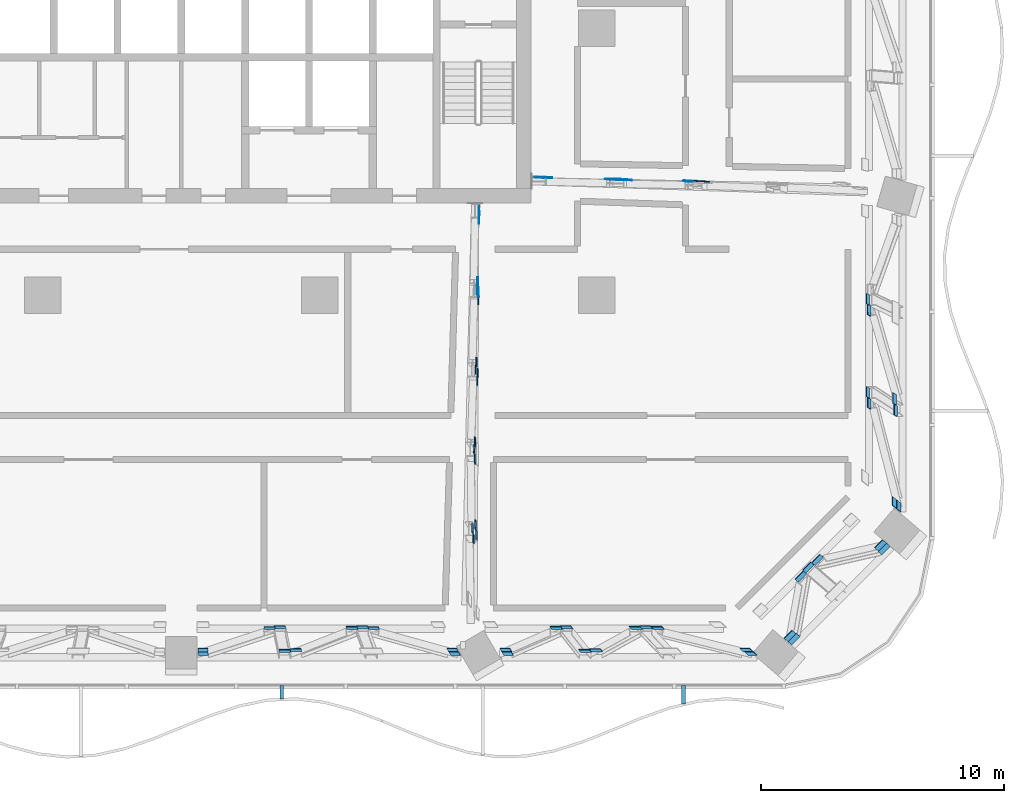
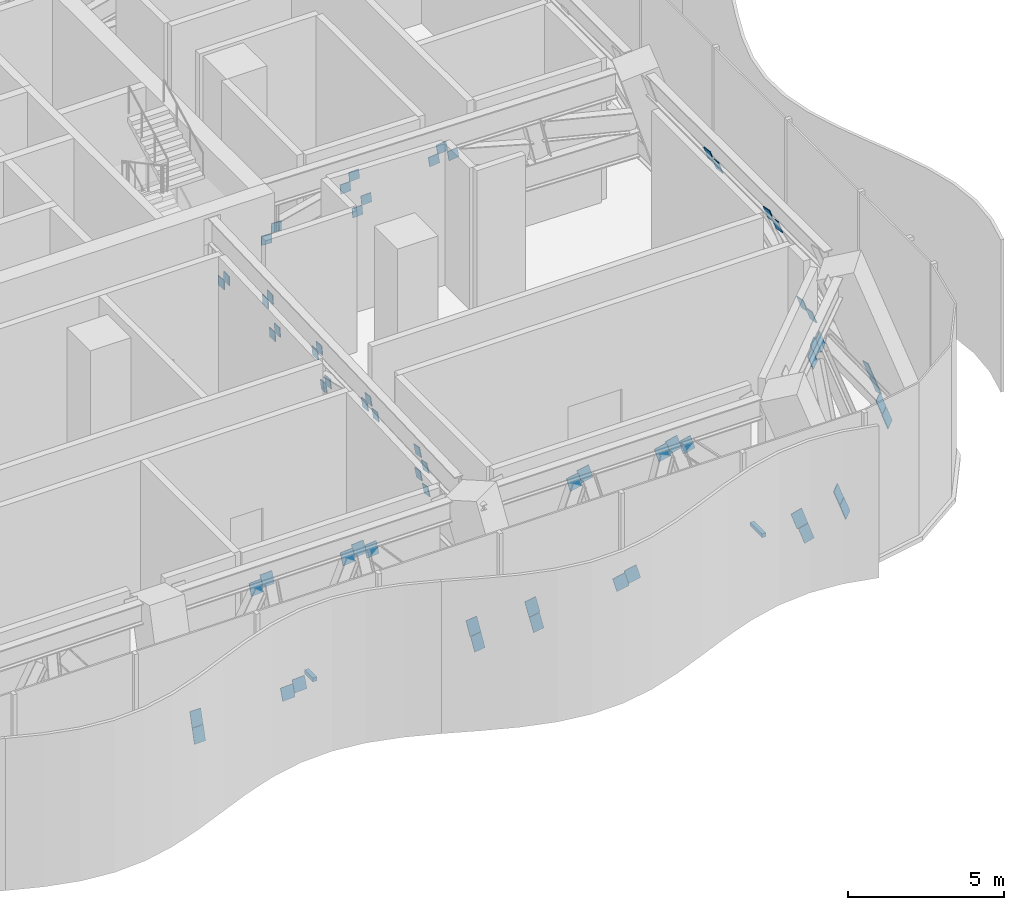
# One storey, part 21 of 32: 65 discrete accessories.
"""IFC4 building model written with IfcOpenShell, lengths in metres."""

from ifc_helpers import new_model, si_unit, direction, frame, origin, origin_2d, place, context, subcontext, project, spatial, rectangle, extrude, material, layer, layer_set, type_object, element, save


model = new_model("IFC4")

# Units and contexts
model_context = context("Model", 3, precision=1e-05, world=origin(), true_north=direction((0.0, 1.0)))
body_context = subcontext(model_context, "Body", "Model", "MODEL_VIEW")
ifc_project = project(units=[si_unit("LENGTHUNIT", "METRE"), si_unit("AREAUNIT", "SQUARE_METRE"), si_unit("VOLUMEUNIT", "CUBIC_METRE"), si_unit("PLANEANGLEUNIT", "RADIAN"), si_unit("MASSUNIT", "GRAM", prefix="KILO")], contexts=[model_context])

# Site, building, storey
site_placement = place(None, origin())
site = spatial("IfcSite", under=ifc_project, at=site_placement, CompositionType="ELEMENT")
building_placement = place(site_placement, origin())
building = spatial("IfcBuilding", under=site, at=building_placement, Name="Mopane Tessera Tower", CompositionType="ELEMENT")
storey_placement = place(building_placement, frame((0.0, 0.0, 88.60009765625)))
storey = spatial("IfcBuildingStorey", under=building, at=storey_placement, Name="L17", CompositionType="ELEMENT", Elevation=88.60009765625)

# Discrete accessories
ifc_material_1 = material(Name="Stainless steel S316", Category="steel")
discrete_accessory_type_1 = type_object("IfcDiscreteAccessoryType", Name="Louvre bracket 150 x 150", PredefinedType="BRACKET", material=ifc_material_1)
discrete_accessory_1_placement = place(storey_placement, frame((4.13330078125, -27.333740234375, 2.489990234375), z_axis=(0.0, 0.0, 1.0), x_axis=(0.0, -1.0, 0.0)))
element("IfcDiscreteAccessory", 1, at=discrete_accessory_1_placement, inside=storey, type_object=discrete_accessory_type_1, Name="e:lv:L17:S:1:br1", PredefinedType="BRACKET", context=body_context, shape_type="SweptSolid", body=[
    extrude(rectangle(XDim=0.54736328125, YDim=0.14990234375, at=origin_2d()), origin(), (0.0, 0.0, 1.0), 0.14990234375),
])
discrete_accessory_2_placement = place(storey_placement, frame((20.666748046875, -27.442626953125, 2.489990234375), z_axis=(0.0, 0.0, 1.0), x_axis=(0.0, -1.0, 0.0)))
element("IfcDiscreteAccessory", 2, at=discrete_accessory_2_placement, inside=storey, type_object=discrete_accessory_type_1, Name="e:lv:L17:S:2:br1", PredefinedType="BRACKET", context=body_context, shape_type="SweptSolid", body=[
    extrude(rectangle(XDim=0.76513671875, YDim=0.14990234375, at=origin_2d()), origin(), (0.0, 0.0, 1.0), 0.14990234375),
])
ifc_material_2 = material(Name="Structural steel S460", Category="steel")
ifc_layer = layer(ifc_material_2, 0.030029296875)
ifc_layer_set = layer_set([ifc_layer], Name="Structural steel S460")
discrete_accessory_type_2 = type_object("IfcDiscreteAccessoryType", Name="Truss node plate 30 mm", PredefinedType="BRACKET", material=ifc_layer_set)
for number, where, z_axis, x_axis, name in (
    (3, (14.7236328125, -6.14404296875, 2.924560546875), (-0.005991891135, 0.001997297045, 0.999980053824), (0.076364876476, 0.997078759538, -0.00153392303), "Truss node plate s ot L17 E1 0"),
    (4, (15.07763671875, -6.15380859375, 3.30126953125), (-0.013314292716, 0.003994287815, 0.99990338297), (0.046165316426, 0.998928109718, -0.003375673988), "Truss node plate s ot L17 E1 2"),
):
    element("IfcDiscreteAccessory", number, at=place(storey_placement, frame(where, z_axis=z_axis, x_axis=x_axis)), inside=storey, type_object=discrete_accessory_type_2, Name=name, PredefinedType="BRACKET", context=body_context, shape_type="SweptSolid", body=[
        extrude(rectangle(XDim=0.030029296875, YDim=0.36669921875, at=origin_2d()), origin(), (0.0, 0.0, 1.0), 0.36669921875),
    ])
discrete_accessory_3_placement = place(storey_placement, frame((17.61767578125, -6.217041015625, 3.98193359375), z_axis=(-0.065096638297, 0.018599039513, 0.997705619615), x_axis=(0.034056769182, 0.999285227695, -0.016406406788)))
element("IfcDiscreteAccessory", 5, at=discrete_accessory_3_placement, inside=storey, type_object=discrete_accessory_type_2, Name="Truss node plate s ot L17 E1 3", PredefinedType="BRACKET", context=body_context, shape_type="SweptSolid", body=[
    extrude(rectangle(XDim=0.030029296875, YDim=0.36669921875, at=origin_2d()), origin(), (0.0, 0.0, 1.0), 0.367431640625),
])
for number, where, z_axis, x_axis, name in (
    (6, (18.04638671875, -6.248291015625, 2.924560546875), (-0.072364237208, 0.020580654619, 0.997165910884), (0.033097287587, 0.999285999317, -0.018222544362), "Truss node plate s ot L17 E1 4"),
    (7, (17.94189453125, -6.21826171875, 4.358642578125), (-0.073024605033, 0.020579661418, 0.997117788727), (0.030716489883, 0.999359197658, -0.018376378988), "Truss node plate s ot L17 E1 5"),
):
    element("IfcDiscreteAccessory", number, at=place(storey_placement, frame(where, z_axis=z_axis, x_axis=x_axis)), inside=storey, type_object=discrete_accessory_type_2, Name=name, PredefinedType="BRACKET", context=body_context, shape_type="SweptSolid", body=[
        extrude(rectangle(XDim=0.030029296875, YDim=0.36669921875, at=origin_2d()), origin(), (0.0, 0.0, 1.0), 0.36767578125),
    ])
discrete_accessory_4_placement = place(storey_placement, frame((18.37548828125, -6.2509765625, 3.30126953125), z_axis=(-0.080277461684, 0.02322075338, 0.996502045035), x_axis=(0.037870559614, 0.999077859714, -0.020229951649)))
element("IfcDiscreteAccessory", 8, at=discrete_accessory_4_placement, inside=storey, type_object=discrete_accessory_type_2, Name="Truss node plate s ot L17 E1 6", PredefinedType="BRACKET", context=body_context, shape_type="SweptSolid", body=[
    extrude(rectangle(XDim=0.030029296875, YDim=0.36669921875, at=origin_2d()), origin(), (0.0, 0.0, 1.0), 0.367919921875),
])
discrete_accessory_5_placement = place(storey_placement, frame((20.8701171875, -6.30126953125, 3.98193359375), z_axis=(-0.131249416504, 0.037594053974, 0.990636299443), x_axis=(0.038005700608, 0.998736895677, -0.032866090967)))
element("IfcDiscreteAccessory", 9, at=discrete_accessory_5_placement, inside=storey, type_object=discrete_accessory_type_2, Name="Truss node plate s ot L17 E1 7", PredefinedType="BRACKET", context=body_context, shape_type="SweptSolid", body=[
    extrude(rectangle(XDim=0.030029296875, YDim=0.36669921875, at=origin_2d()), origin(), (0.0, 0.0, 1.0), 0.3701171875),
])
discrete_accessory_6_placement = place(storey_placement, frame((21.1689453125, -6.29541015625, 4.358642578125), z_axis=(-0.13771220955, 0.039534605612, 0.989682960498), x_axis=(0.039065427392, 0.998642394715, -0.034456637389)))
element("IfcDiscreteAccessory", 10, at=discrete_accessory_6_placement, inside=storey, type_object=discrete_accessory_type_2, Name="Truss node plate s ot L17 E1 9", PredefinedType="BRACKET", context=body_context, shape_type="SweptSolid", body=[
    extrude(rectangle(XDim=0.030029296875, YDim=0.36669921875, at=origin_2d()), origin(), (0.0, 0.0, 1.0), 0.37060546875),
])
discrete_accessory_7_placement = place(storey_placement, frame((21.572998046875, -6.3193359375, 3.98193359375), z_axis=(-0.144800375425, 0.041465562054, 0.988591654041), x_axis=(0.038907178413, 0.998587403392, -0.036186036726)))
element("IfcDiscreteAccessory", 11, at=discrete_accessory_7_placement, inside=storey, type_object=discrete_accessory_type_2, Name="Truss node plate s ot L17 E1 10", PredefinedType="BRACKET", context=body_context, shape_type="SweptSolid", body=[
    extrude(rectangle(XDim=0.030029296875, YDim=0.36669921875, at=origin_2d()), origin(), (0.0, 0.0, 1.0), 0.370849609375),
])
discrete_accessory_8_placement = place(storey_placement, frame((12.257568359375, -7.514892578125, 2.924560546875), z_axis=(-0.002663085154, 0.003994627731, 0.999988475397), x_axis=(0.998435657884, 0.055859680467, 0.002435808621)))
element("IfcDiscreteAccessory", 12, at=discrete_accessory_8_placement, inside=storey, type_object=discrete_accessory_type_2, Name="Truss node plate s ot L17 S3 0", PredefinedType="BRACKET", context=body_context, shape_type="SweptSolid", body=[
    extrude(rectangle(XDim=0.030029296875, YDim=0.366943359375, at=origin_2d()), origin(), (0.0, 0.0, 1.0), 0.36669921875),
])
discrete_accessory_9_placement = place(storey_placement, frame((12.253173828125, -7.87060546875, 3.30126953125), z_axis=(-0.005322381677, 0.009314167935, 0.999942457609), x_axis=(0.999901631109, -0.01292696717, 0.005442575242)))
element("IfcDiscreteAccessory", 13, at=discrete_accessory_9_placement, inside=storey, type_object=discrete_accessory_type_2, Name="Truss node plate s ot L17 S3 2", PredefinedType="BRACKET", context=body_context, shape_type="SweptSolid", body=[
    extrude(rectangle(XDim=0.030029296875, YDim=0.366943359375, at=origin_2d()), origin(), (0.0, 0.0, 1.0), 0.366943359375),
])
for number, where, z_axis, x_axis, name in (
    (14, (12.20947265625, -10.454345703125, 3.9814453125), (-0.026576852825, 0.045180649803, 0.998625244913), (0.999646696775, 0.000810906101, 0.026567349472), "Truss node plate s ot L17 S3 3"),
    (15, (12.2353515625, -10.862060546875, 2.924560546875), (-0.02990838802, 0.050511944211, 0.998275529009), (0.999549609781, 0.003972263764, 0.029745566174), "Truss node plate s ot L17 S3 4"),
):
    element("IfcDiscreteAccessory", number, at=place(storey_placement, frame(where, z_axis=z_axis, x_axis=x_axis)), inside=storey, type_object=discrete_accessory_type_2, Name=name, PredefinedType="BRACKET", context=body_context, shape_type="SweptSolid", body=[
        extrude(rectangle(XDim=0.030029296875, YDim=0.366943359375, at=origin_2d()), origin(), (0.0, 0.0, 1.0), 0.367431640625),
    ])
for number, where, z_axis, x_axis, name in (
    (16, (12.19287109375, -10.789306640625, 4.3583984375), (-0.029224940955, 0.050479443468, 0.998297414909), (0.999546104273, -0.005831506387, 0.02955636931), "Truss node plate s ot L17 S3 5"),
    (17, (12.220703125, -11.200439453125, 3.30126953125), (-0.032533436701, 0.055771605774, 0.99791337474), (0.999462434294, -0.002232345911, 0.032708700158), "Truss node plate s ot L17 S3 6"),
):
    element("IfcDiscreteAccessory", number, at=place(storey_placement, frame(where, z_axis=z_axis, x_axis=x_axis)), inside=storey, type_object=discrete_accessory_type_2, Name=name, PredefinedType="BRACKET", context=body_context, shape_type="SweptSolid", body=[
        extrude(rectangle(XDim=0.030029296875, YDim=0.366943359375, at=origin_2d()), origin(), (0.0, 0.0, 1.0), 0.36767578125),
    ])
for number, where, z_axis, x_axis, name in (
    (18, (12.15869140625, -13.75244140625, 3.9814453125), (-0.053589363892, 0.091300397741, 0.994380418879), (0.998562154221, 0.003560250049, 0.053487837648), "Truss node plate s ot L17 S3 7"),
    (19, (12.212890625, -14.208984375, 2.924560546875), (-0.056240183454, 0.09593913648, 0.993797124093), (0.998415493844, 0.003527522346, 0.056161002821), "Truss node plate s ot L17 S3 8"),
):
    element("IfcDiscreteAccessory", number, at=place(storey_placement, frame(where, z_axis=z_axis, x_axis=x_axis)), inside=storey, type_object=discrete_accessory_type_2, Name=name, PredefinedType="BRACKET", context=body_context, shape_type="SweptSolid", body=[
        extrude(rectangle(XDim=0.030029296875, YDim=0.366943359375, at=origin_2d()), origin(), (0.0, 0.0, 1.0), 0.368896484375),
    ])
discrete_accessory_10_placement = place(storey_placement, frame((12.1318359375, -14.070068359375, 4.3583984375), z_axis=(-0.056199652217, 0.096531167337, 0.993742085666), x_axis=(0.998407595496, 0.000562798862, 0.056408833655)))
element("IfcDiscreteAccessory", 20, at=discrete_accessory_10_placement, inside=storey, type_object=discrete_accessory_type_2, Name="Truss node plate s ot L17 S3 9", PredefinedType="BRACKET", context=body_context, shape_type="SweptSolid", body=[
    extrude(rectangle(XDim=0.030029296875, YDim=0.366943359375, at=origin_2d()), origin(), (0.0, 0.0, 1.0), 0.369140625),
])
discrete_accessory_11_placement = place(storey_placement, frame((12.188232421875, -14.530029296875, 3.30126953125), z_axis=(-0.058808502745, 0.101097763146, 0.99313684973), x_axis=(0.998255580983, 0.000743298452, 0.059035942811)))
element("IfcDiscreteAccessory", 21, at=discrete_accessory_11_placement, inside=storey, type_object=discrete_accessory_type_2, Name="Truss node plate s ot L17 S3 10", PredefinedType="BRACKET", context=body_context, shape_type="SweptSolid", body=[
    extrude(rectangle(XDim=0.030029296875, YDim=0.366943359375, at=origin_2d()), origin(), (0.0, 0.0, 1.0), 0.369384765625),
])
discrete_accessory_12_placement = place(storey_placement, frame((12.10791015625, -17.05078125, 3.9814453125), z_axis=(-0.080146045824, 0.136642438782, 0.987373007157), x_axis=(0.996781736397, 0.009329360955, 0.079618672496)))
element("IfcDiscreteAccessory", 22, at=discrete_accessory_12_placement, inside=storey, type_object=discrete_accessory_type_2, Name="Truss node plate s ot L17 S3 11", PredefinedType="BRACKET", context=body_context, shape_type="SweptSolid", body=[
    extrude(rectangle(XDim=0.030029296875, YDim=0.366943359375, at=origin_2d()), origin(), (0.0, 0.0, 1.0), 0.37158203125),
])
discrete_accessory_13_placement = place(storey_placement, frame((12.07080078125, -17.350830078125, 4.3583984375), z_axis=(-0.08204371414, 0.141771538034, 0.98649361882), x_axis=(0.99660090909, 0.004274335901, 0.082270031325)))
element("IfcDiscreteAccessory", 23, at=discrete_accessory_13_placement, inside=storey, type_object=discrete_accessory_type_2, Name="Truss node plate s ot L17 S3 13", PredefinedType="BRACKET", context=body_context, shape_type="SweptSolid", body=[
    extrude(rectangle(XDim=0.030029296875, YDim=0.366943359375, at=origin_2d()), origin(), (0.0, 0.0, 1.0), 0.3720703125),
])
discrete_accessory_14_placement = place(storey_placement, frame((12.096923828125, -17.7587890625, 3.9814453125), z_axis=(-0.085245663383, 0.146229099495, 0.985571015876), x_axis=(0.996350727816, 0.008251776601, 0.08495372484)))
element("IfcDiscreteAccessory", 24, at=discrete_accessory_14_placement, inside=storey, type_object=discrete_accessory_type_2, Name="Truss node plate s ot L17 S3 14", PredefinedType="BRACKET", context=body_context, shape_type="SweptSolid", body=[
    extrude(rectangle(XDim=0.030029296875, YDim=0.366943359375, at=origin_2d()), origin(), (0.0, 0.0, 1.0), 0.372314453125),
])
discrete_accessory_15_placement = place(storey_placement, frame((12.13037109375, -20.474365234375, 3.30126953125), z_axis=(-0.105408764436, 0.180235973757, 0.977959092265), x_axis=(0.994424866223, 0.016276724843, 0.104183749532)))
element("IfcDiscreteAccessory", 25, at=discrete_accessory_15_placement, inside=storey, type_object=discrete_accessory_type_2, Name="Truss node plate s ot L17 S3 15", PredefinedType="BRACKET", context=body_context, shape_type="SweptSolid", body=[
    extrude(rectangle(XDim=0.030029296875, YDim=0.366943359375, at=origin_2d()), origin(), (0.0, 0.0, 1.0), 0.375244140625),
])
discrete_accessory_16_placement = place(storey_placement, frame((12.16845703125, -20.9033203125, 2.924560546875), z_axis=(-0.107947417547, 0.185331409644, 0.976729043105), x_axis=(0.994145816801, 0.015546450129, 0.106922414982)))
element("IfcDiscreteAccessory", 26, at=discrete_accessory_16_placement, inside=storey, type_object=discrete_accessory_type_2, Name="Truss node plate s ot L17 S3 16", PredefinedType="BRACKET", context=body_context, shape_type="SweptSolid", body=[
    extrude(rectangle(XDim=0.030029296875, YDim=0.366943359375, at=origin_2d()), origin(), (0.0, 0.0, 1.0), 0.37548828125),
])
discrete_accessory_17_placement = place(storey_placement, frame((12.010009765625, -20.6318359375, 4.3564453125), z_axis=(-0.108027327481, 0.185189704253, 0.976747085973), x_axis=(0.99413995714, 0.01618958008, 0.106881444198)))
element("IfcDiscreteAccessory", 27, at=discrete_accessory_17_placement, inside=storey, type_object=discrete_accessory_type_2, Name="Truss node plate s ot L17 S3 17", PredefinedType="BRACKET", context=body_context, shape_type="SweptSolid", body=[
    extrude(rectangle(XDim=0.030029296875, YDim=0.370849609375, at=origin_2d()), origin(), (0.0, 0.0, 1.0), 0.379638671875),
])
discrete_accessory_18_placement = place(storey_placement, frame((12.046875, -21.046875, 3.975830078125), z_axis=(-0.110530989522, 0.190216121503, 0.975500244734), x_axis=(0.99385650853, 0.015555260558, 0.109577709053)))
element("IfcDiscreteAccessory", 28, at=discrete_accessory_18_placement, inside=storey, type_object=discrete_accessory_type_2, Name="Truss node plate s ot L17 S3 18", PredefinedType="BRACKET", context=body_context, shape_type="SweptSolid", body=[
    extrude(rectangle(XDim=0.030029296875, YDim=0.370849609375, at=origin_2d()), origin(), (0.0, 0.0, 1.0), 0.3798828125),
])
discrete_accessory_19_placement = place(storey_placement, frame((0.892822265625, -25.659912109375, 0.694091796875), z_axis=(-0.010257005021, 0.242321743623, 0.970141724912), x_axis=(0.002587430327, 0.970195945132, -0.242307930644)))
element("IfcDiscreteAccessory", 29, at=discrete_accessory_19_placement, inside=storey, type_object=discrete_accessory_type_2, Name="Truss node plate s bt L17 S2-S3 0", PredefinedType="BRACKET", context=body_context, shape_type="SweptSolid", body=[
    extrude(rectangle(XDim=0.030029296875, YDim=0.40576171875, at=origin_2d()), origin(), (0.0, 0.0, 1.0), 0.5712890625),
])
discrete_accessory_20_placement = place(storey_placement, frame((0.90234375, -25.801025390625, 0.1298828125), z_axis=(-0.010255942011, 0.242723960917, 0.970041181832), x_axis=(0.002837056043, 0.970095361136, -0.24270752237)))
element("IfcDiscreteAccessory", 30, at=discrete_accessory_20_placement, inside=storey, type_object=discrete_accessory_type_2, Name="Truss node plate s bt L17 S2-S3 1", PredefinedType="BRACKET", context=body_context, shape_type="SweptSolid", body=[
    extrude(rectangle(XDim=0.030029296875, YDim=0.4130859375, at=origin_2d()), origin(), (0.0, 0.0, 1.0), 0.5712890625),
])
discrete_accessory_21_placement = place(storey_placement, frame((3.639404296875, -24.744873046875, 4.354736328125), z_axis=(-0.043837515232, 0.242426740864, 0.969178800621), x_axis=(0.010575111225, 0.970169644861, -0.242196257635)))
element("IfcDiscreteAccessory", 31, at=discrete_accessory_21_placement, inside=storey, type_object=discrete_accessory_type_2, Name="Truss node plate s bt L17 S2-S3 3", PredefinedType="BRACKET", context=body_context, shape_type="SweptSolid", body=[
    extrude(rectangle(XDim=0.030029296875, YDim=0.447998046875, at=origin_2d()), origin(), (0.0, 0.0, 1.0), 0.462158203125),
])
discrete_accessory_22_placement = place(storey_placement, frame((4.2666015625, -25.687255859375, 0.58447265625), z_axis=(-0.048994939459, 0.241880280064, 0.969068328872), x_axis=(0.011779416116, 0.970306009563, -0.241593652982)))
element("IfcDiscreteAccessory", 32, at=discrete_accessory_22_placement, inside=storey, type_object=discrete_accessory_type_2, Name="Truss node plate s bt L17 S2-S3 4", PredefinedType="BRACKET", context=body_context, shape_type="SweptSolid", body=[
    extrude(rectangle(XDim=0.030029296875, YDim=0.458740234375, at=origin_2d()), origin(), (0.0, 0.0, 1.0), 0.473388671875),
])
discrete_accessory_23_placement = place(storey_placement, frame((4.068115234375, -24.70556640625, 4.511962890625), z_axis=(-0.049107090182, 0.242367251546, 0.968940972955), x_axis=(0.01175221749, 0.970184448755, -0.242082673434)))
element("IfcDiscreteAccessory", 33, at=discrete_accessory_23_placement, inside=storey, type_object=discrete_accessory_type_2, Name="Truss node plate s bt L17 S2-S3 5", PredefinedType="BRACKET", context=body_context, shape_type="SweptSolid", body=[
    extrude(rectangle(XDim=0.030029296875, YDim=0.447998046875, at=origin_2d()), origin(), (0.0, 0.0, 1.0), 0.46240234375),
])
discrete_accessory_24_placement = place(storey_placement, frame((4.726318359375, -25.6513671875, 0.728515625), z_axis=(-0.054645150311, 0.242294534396, 0.968662617297), x_axis=(0.012392986357, 0.970201975888, -0.241980453493)))
element("IfcDiscreteAccessory", 34, at=discrete_accessory_24_placement, inside=storey, type_object=discrete_accessory_type_2, Name="Truss node plate s bt L17 S2-S3 6", PredefinedType="BRACKET", context=body_context, shape_type="SweptSolid", body=[
    extrude(rectangle(XDim=0.030029296875, YDim=0.458740234375, at=origin_2d()), origin(), (0.0, 0.0, 1.0), 0.4736328125),
])
discrete_accessory_25_placement = place(storey_placement, frame((7.048583984375, -24.742919921875, 4.362548828125), z_axis=(-0.084880698475, 0.241781383536, 0.966611105669), x_axis=(0.019721118385, 0.970329750779, -0.240979775589)))
element("IfcDiscreteAccessory", 35, at=discrete_accessory_25_placement, inside=storey, type_object=discrete_accessory_type_2, Name="Truss node plate s bt L17 S2-S3 7", PredefinedType="BRACKET", context=body_context, shape_type="SweptSolid", body=[
    extrude(rectangle(XDim=0.030029296875, YDim=0.458740234375, at=origin_2d()), origin(), (0.0, 0.0, 1.0), 0.474609375),
])
discrete_accessory_26_placement = place(storey_placement, frame((7.4814453125, -24.70556640625, 4.511962890625), z_axis=(-0.089513292067, 0.24168588858, 0.966217005545), x_axis=(0.023467724819, 0.970353866002, -0.240546545654)))
element("IfcDiscreteAccessory", 36, at=discrete_accessory_26_placement, inside=storey, type_object=discrete_accessory_type_2, Name="Truss node plate s bt L17 S2-S3 9", PredefinedType="BRACKET", context=body_context, shape_type="SweptSolid", body=[
    extrude(rectangle(XDim=0.030029296875, YDim=0.447998046875, at=origin_2d()), origin(), (0.0, 0.0, 1.0), 0.463623046875),
])
discrete_accessory_27_placement = place(storey_placement, frame((7.9326171875, -24.744873046875, 4.354736328125), z_axis=(-0.094732827198, 0.241568709355, 0.965748543935), x_axis=(0.024612727269, 0.970383197722, -0.240313676755)))
element("IfcDiscreteAccessory", 37, at=discrete_accessory_27_placement, inside=storey, type_object=discrete_accessory_type_2, Name="Truss node plate s bt L17 S2-S3 10", PredefinedType="BRACKET", context=body_context, shape_type="SweptSolid", body=[
    extrude(rectangle(XDim=0.030029296875, YDim=0.447998046875, at=origin_2d()), origin(), (0.0, 0.0, 1.0), 0.4638671875),
])
discrete_accessory_28_placement = place(storey_placement, frame((11.204345703125, -25.659912109375, 0.694091796875), z_axis=(-0.128012158594, 0.240340708354, 0.962210596055), x_axis=(0.030761397295, 0.970688161616, -0.238365746984)))
element("IfcDiscreteAccessory", 38, at=discrete_accessory_28_placement, inside=storey, type_object=discrete_accessory_type_2, Name="Truss node plate s bt L17 S2-S3 12", PredefinedType="BRACKET", context=body_context, shape_type="SweptSolid", body=[
    extrude(rectangle(XDim=0.030029296875, YDim=0.40576171875, at=origin_2d()), origin(), (0.0, 0.0, 1.0), 0.575927734375),
])
discrete_accessory_29_placement = place(storey_placement, frame((11.287109375, -25.801025390625, 0.1298828125), z_axis=(-0.127999107731, 0.24074004368, 0.96211249851), x_axis=(0.031804946472, 0.970589629187, -0.238629874689)))
element("IfcDiscreteAccessory", 39, at=discrete_accessory_29_placement, inside=storey, type_object=discrete_accessory_type_2, Name="Truss node plate s bt L17 S2-S3 13", PredefinedType="BRACKET", context=body_context, shape_type="SweptSolid", body=[
    extrude(rectangle(XDim=0.030029296875, YDim=0.390380859375, at=origin_2d()), origin(), (0.0, 0.0, 1.0), 0.575927734375),
])
discrete_accessory_30_placement = place(storey_placement, frame((13.474365234375, -25.80029296875, 0.1328125), z_axis=(-0.152055103728, 0.239614924695, 0.958886819856), x_axis=(0.037756363596, 0.97086798147, -0.236621680251)))
element("IfcDiscreteAccessory", 40, at=discrete_accessory_30_placement, inside=storey, type_object=discrete_accessory_type_2, Name="Truss node plate s bt L17 S3-S4 0", PredefinedType="BRACKET", context=body_context, shape_type="SweptSolid", body=[
    extrude(rectangle(XDim=0.030029296875, YDim=0.390380859375, at=origin_2d()), origin(), (0.0, 0.0, 1.0), 0.571533203125),
])
discrete_accessory_31_placement = place(storey_placement, frame((13.398681640625, -25.66064453125, 0.69091796875), z_axis=(-0.152055103728, 0.239614924695, 0.958886819856), x_axis=(0.038205989264, 0.970867778637, -0.236550330351)))
element("IfcDiscreteAccessory", 41, at=discrete_accessory_31_placement, inside=storey, type_object=discrete_accessory_type_2, Name="Truss node plate s bt L17 S3-S4 1", PredefinedType="BRACKET", context=body_context, shape_type="SweptSolid", body=[
    extrude(rectangle(XDim=0.030029296875, YDim=0.416259765625, at=origin_2d()), origin(), (0.0, 0.0, 1.0), 0.571533203125),
])
discrete_accessory_32_placement = place(storey_placement, frame((15.475830078125, -24.743896484375, 4.3583984375), z_axis=(-0.182942937712, 0.238442480614, 0.953769922455), x_axis=(0.044999912522, 0.97115661801, -0.234157705764)))
element("IfcDiscreteAccessory", 42, at=discrete_accessory_32_placement, inside=storey, type_object=discrete_accessory_type_2, Name="Truss node plate s bt L17 S3-S4 3", PredefinedType="BRACKET", context=body_context, shape_type="SweptSolid", body=[
    extrude(rectangle(XDim=0.030029296875, YDim=0.453125, at=origin_2d()), origin(), (0.0, 0.0, 1.0), 0.47509765625),
])
discrete_accessory_33_placement = place(storey_placement, frame((16.66259765625, -25.68798828125, 0.581787109375), z_axis=(-0.187969310847, 0.238094460406, 0.952879093119), x_axis=(0.045969926117, 0.97124199669, -0.233614532422)))
element("IfcDiscreteAccessory", 43, at=discrete_accessory_33_placement, inside=storey, type_object=discrete_accessory_type_2, Name="Truss node plate s bt L17 S3-S4 4", PredefinedType="BRACKET", context=body_context, shape_type="SweptSolid", body=[
    extrude(rectangle(XDim=0.030029296875, YDim=0.464111328125, at=origin_2d()), origin(), (0.0, 0.0, 1.0), 0.487060546875),
])
discrete_accessory_34_placement = place(storey_placement, frame((15.8876953125, -24.7060546875, 4.50927734375), z_axis=(-0.187902738225, 0.238215493269, 0.952861973076), x_axis=(0.046385430543, 0.971212279649, -0.233655942984)))
element("IfcDiscreteAccessory", 44, at=discrete_accessory_34_placement, inside=storey, type_object=discrete_accessory_type_2, Name="Truss node plate s bt L17 S3-S4 5", PredefinedType="BRACKET", context=body_context, shape_type="SweptSolid", body=[
    extrude(rectangle(XDim=0.030029296875, YDim=0.453125, at=origin_2d()), origin(), (0.0, 0.0, 1.0), 0.4755859375),
])
discrete_accessory_35_placement = place(storey_placement, frame((17.10791015625, -25.65380859375, 0.718994140625), z_axis=(-0.193279927083, 0.237844469857, 0.951878604626), x_axis=(0.046761662262, 0.971303089808, -0.233203033154)))
element("IfcDiscreteAccessory", 45, at=discrete_accessory_35_placement, inside=storey, type_object=discrete_accessory_type_2, Name="Truss node plate s bt L17 S3-S4 6", PredefinedType="BRACKET", context=body_context, shape_type="SweptSolid", body=[
    extrude(rectangle(XDim=0.030029296875, YDim=0.464111328125, at=origin_2d()), origin(), (0.0, 0.0, 1.0), 0.487548828125),
])
discrete_accessory_36_placement = place(storey_placement, frame((18.76806640625, -24.74169921875, 4.36669921875), z_axis=(-0.220045150359, 0.23647386068, 0.946393282425), x_axis=(0.053679292363, 0.971637842795, -0.230300751238)))
element("IfcDiscreteAccessory", 46, at=discrete_accessory_36_placement, inside=storey, type_object=discrete_accessory_type_2, Name="Truss node plate s bt L17 S3-S4 7", PredefinedType="BRACKET", context=body_context, shape_type="SweptSolid", body=[
    extrude(rectangle(XDim=0.030029296875, YDim=0.464111328125, at=origin_2d()), origin(), (0.0, 0.0, 1.0), 0.490478515625),
])
discrete_accessory_37_placement = place(storey_placement, frame((19.18603515625, -24.7060546875, 4.50927734375), z_axis=(-0.225106363988, 0.236310753146, 0.945243012584), x_axis=(0.055030987681, 0.971677491083, -0.229813932817)))
element("IfcDiscreteAccessory", 47, at=discrete_accessory_37_placement, inside=storey, type_object=discrete_accessory_type_2, Name="Truss node plate s bt L17 S3-S4 9", PredefinedType="BRACKET", context=body_context, shape_type="SweptSolid", body=[
    extrude(rectangle(XDim=0.030029296875, YDim=0.453125, at=origin_2d()), origin(), (0.0, 0.0, 1.0), 0.4794921875),
])
discrete_accessory_38_placement = place(storey_placement, frame((19.66357421875, -24.743896484375, 4.3583984375), z_axis=(-0.229932835172, 0.236037246725, 0.944148986902), x_axis=(0.056309246774, 0.971743900392, -0.22922273181)))
element("IfcDiscreteAccessory", 48, at=discrete_accessory_38_placement, inside=storey, type_object=discrete_accessory_type_2, Name="Truss node plate s bt L17 S3-S4 10", PredefinedType="BRACKET", context=body_context, shape_type="SweptSolid", body=[
    extrude(rectangle(XDim=0.030029296875, YDim=0.453125, at=origin_2d()), origin(), (0.0, 0.0, 1.0), 0.47998046875),
])
discrete_accessory_39_placement = place(storey_placement, frame((23.33837890625, -25.66064453125, 0.69091796875), z_axis=(-0.259191654575, 0.234148982635, 0.937013308406), x_axis=(0.062425625308, 0.972200727181, -0.225674073333)))
element("IfcDiscreteAccessory", 49, at=discrete_accessory_39_placement, inside=storey, type_object=discrete_accessory_type_2, Name="Truss node plate s bt L17 S3-S4 12", PredefinedType="BRACKET", context=body_context, shape_type="SweptSolid", body=[
    extrude(rectangle(XDim=0.030029296875, YDim=0.416259765625, at=origin_2d()), origin(), (0.0, 0.0, 1.0), 0.5849609375),
])
discrete_accessory_40_placement = place(storey_placement, frame((23.514892578125, -25.80029296875, 0.1328125), z_axis=(-0.259580929663, 0.234123635918, 0.936911876357), x_axis=(0.062172614904, 0.972206771361, -0.225717876287)))
element("IfcDiscreteAccessory", 50, at=discrete_accessory_40_placement, inside=storey, type_object=discrete_accessory_type_2, Name="Truss node plate s bt L17 S3-S4 13", PredefinedType="BRACKET", context=body_context, shape_type="SweptSolid", body=[
    extrude(rectangle(XDim=0.030029296875, YDim=0.372314453125, at=origin_2d()), origin(), (0.0, 0.0, 1.0), 0.5849609375),
])
discrete_accessory_41_placement = place(storey_placement, frame((25.1240234375, -25.075927734375, 0.673095703125), z_axis=(-0.272062642078, 0.23338707041, 0.933548281639), x_axis=(-0.652692412918, 0.668110469881, -0.357240834949)))
element("IfcDiscreteAccessory", 51, at=discrete_accessory_41_placement, inside=storey, type_object=discrete_accessory_type_2, Name="Truss node plate s bt L17 S4-E0 0", PredefinedType="BRACKET", context=body_context, shape_type="SweptSolid", body=[
    extrude(rectangle(XDim=0.030029296875, YDim=0.468505859375, at=origin_2d()), origin(), (0.0, 0.0, 1.0), 0.549072265625),
])
discrete_accessory_42_placement = place(storey_placement, frame((25.283935546875, -25.198974609375, 0.150634765625), z_axis=(-0.272062642078, 0.23338707041, 0.933548281639), x_axis=(-0.652692412918, 0.668110469881, -0.357240834949)))
element("IfcDiscreteAccessory", 52, at=discrete_accessory_42_placement, inside=storey, type_object=discrete_accessory_type_2, Name="Truss node plate s bt L17 S4-E0 1", PredefinedType="BRACKET", context=body_context, shape_type="SweptSolid", body=[
    extrude(rectangle(XDim=0.030029296875, YDim=0.489990234375, at=origin_2d()), origin(), (0.0, 0.0, 1.0), 0.549072265625),
])
for number, where, z_axis, x_axis, name in (
    (53, (25.55859375, -22.633056640625, 4.380615234375), (-0.27246266647, 0.233471499541, 0.933410496128), (-0.652953692211, 0.667663805199, -0.357598264895), "Truss node plate s bt L17 S4-E0 3"),
    (54, (25.870849609375, -22.25830078125, 4.496337890625), (-0.272022378243, 0.233501726779, 0.933531343516), (-0.652468533197, 0.668305609361, -0.357284796324), "Truss node plate s bt L17 S4-E0 5"),
    (55, (26.25048828125, -21.941162109375, 4.380615234375), (-0.272022378243, 0.233501726779, 0.933531343516), (-0.652468533197, 0.668305609361, -0.357284796324), "Truss node plate s bt L17 S4-E0 6"),
):
    element("IfcDiscreteAccessory", number, at=place(storey_placement, frame(where, z_axis=z_axis, x_axis=x_axis)), inside=storey, type_object=discrete_accessory_type_2, Name=name, PredefinedType="BRACKET", context=body_context, shape_type="SweptSolid", body=[
        extrude(rectangle(XDim=0.030029296875, YDim=0.479248046875, at=origin_2d()), origin(), (0.0, 0.0, 1.0), 0.513427734375),
    ])
discrete_accessory_43_placement = place(storey_placement, frame((28.99267578125, -21.490234375, 0.150634765625), z_axis=(-0.272062642078, 0.23338707041, 0.933548281639), x_axis=(-0.652692412918, 0.668110469881, -0.357240834949)))
element("IfcDiscreteAccessory", 56, at=discrete_accessory_43_placement, inside=storey, type_object=discrete_accessory_type_2, Name="Truss node plate s bt L17 S4-E0 7", PredefinedType="BRACKET", context=body_context, shape_type="SweptSolid", body=[
    extrude(rectangle(XDim=0.030029296875, YDim=0.489990234375, at=origin_2d()), origin(), (0.0, 0.0, 1.0), 0.549072265625),
])
discrete_accessory_44_placement = place(storey_placement, frame((28.847900390625, -21.35205078125, 0.673095703125), z_axis=(-0.272474209673, 0.233358825576, 0.933435302305), x_axis=(-0.65314566036, 0.667510467534, -0.35753394536)))
element("IfcDiscreteAccessory", 57, at=discrete_accessory_44_placement, inside=storey, type_object=discrete_accessory_type_2, Name="Truss node plate s bt L17 S4-E0 9", PredefinedType="BRACKET", context=body_context, shape_type="SweptSolid", body=[
    extrude(rectangle(XDim=0.030029296875, YDim=0.468505859375, at=origin_2d()), origin(), (0.0, 0.0, 1.0), 0.54931640625),
])
discrete_accessory_45_placement = place(storey_placement, frame((29.427978515625, -19.5947265625, 0.704345703125), z_axis=(-0.273066160465, 0.220201823723, 0.936453965146), x_axis=(-0.961995249969, -0.062611506351, -0.265791155437)))
element("IfcDiscreteAccessory", 58, at=discrete_accessory_45_placement, inside=storey, type_object=discrete_accessory_type_2, Name="Truss node plate s bt L17 E0-E1 0", PredefinedType="BRACKET", context=body_context, shape_type="SweptSolid", body=[
    extrude(rectangle(XDim=0.030029296875, YDim=0.367919921875, at=origin_2d()), origin(), (0.0, 0.0, 1.0), 0.6142578125),
])
discrete_accessory_46_placement = place(storey_placement, frame((29.5986328125, -19.73046875, 0.119384765625), z_axis=(-0.273167835843, 0.220283815221, 0.936405026798), x_axis=(-0.961966388342, -0.062588078691, -0.265901109637)))
element("IfcDiscreteAccessory", 59, at=discrete_accessory_46_placement, inside=storey, type_object=discrete_accessory_type_2, Name="Truss node plate s bt L17 E0-E1 1", PredefinedType="BRACKET", context=body_context, shape_type="SweptSolid", body=[
    extrude(rectangle(XDim=0.030029296875, YDim=0.37158203125, at=origin_2d()), origin(), (0.0, 0.0, 1.0), 0.614013671875),
])
discrete_accessory_47_placement = place(storey_placement, frame((28.36669921875, -15.485595703125, 4.34326171875), z_axis=(-0.275008328131, 0.183696969181, 0.943729751026), x_axis=(-0.961441359005, -0.05155821215, -0.27013378899)))
element("IfcDiscreteAccessory", 60, at=discrete_accessory_47_placement, inside=storey, type_object=discrete_accessory_type_2, Name="Truss node plate s bt L17 E0-E1 3", PredefinedType="BRACKET", context=body_context, shape_type="SweptSolid", body=[
    extrude(rectangle(XDim=0.030029296875, YDim=0.428955078125, at=origin_2d()), origin(), (0.0, 0.0, 1.0), 0.45458984375),
])
discrete_accessory_48_placement = place(storey_placement, frame((29.460205078125, -15.7763671875, 0.59423828125), z_axis=(-0.275643687036, 0.17851210208, 0.944539034243), x_axis=(-0.961259680858, -0.051822017722, -0.270729208685)))
element("IfcDiscreteAccessory", 61, at=discrete_accessory_48_placement, inside=storey, type_object=discrete_accessory_type_2, Name="Truss node plate s bt L17 E0-E1 4", PredefinedType="BRACKET", context=body_context, shape_type="SweptSolid", body=[
    extrude(rectangle(XDim=0.030029296875, YDim=0.439208984375, at=origin_2d()), origin(), (0.0, 0.0, 1.0), 0.465087890625),
])
discrete_accessory_49_placement = place(storey_placement, frame((28.314697265625, -15.03369140625, 4.521484375), z_axis=(-0.275249643643, 0.17901978776, 0.944557859141), x_axis=(-0.961371923529, -0.04993885159, -0.270684568735)))
element("IfcDiscreteAccessory", 62, at=discrete_accessory_49_placement, inside=storey, type_object=discrete_accessory_type_2, Name="Truss node plate s bt L17 E0-E1 5", PredefinedType="BRACKET", context=body_context, shape_type="SweptSolid", body=[
    extrude(rectangle(XDim=0.030029296875, YDim=0.428955078125, at=origin_2d()), origin(), (0.0, 0.0, 1.0), 0.4541015625),
])
discrete_accessory_50_placement = place(storey_placement, frame((29.411376953125, -15.29736328125, 0.761474609375), z_axis=(-0.275898588569, 0.173421969958, 0.94541249683), x_axis=(-0.961186141527, -0.050885880675, -0.271167528449)))
element("IfcDiscreteAccessory", 63, at=discrete_accessory_50_placement, inside=storey, type_object=discrete_accessory_type_2, Name="Truss node plate s bt L17 E0-E1 6", PredefinedType="BRACKET", context=body_context, shape_type="SweptSolid", body=[
    extrude(rectangle(XDim=0.030029296875, YDim=0.439208984375, at=origin_2d()), origin(), (0.0, 0.0, 1.0), 0.464599609375),
])
discrete_accessory_51_placement = place(storey_placement, frame((28.364990234375, -11.642822265625, 4.34912109375), z_axis=(-0.277445161023, 0.138458347025, 0.950712085105), x_axis=(-0.960739985523, -0.041727010209, -0.274294616856)))
element("IfcDiscreteAccessory", 64, at=discrete_accessory_51_placement, inside=storey, type_object=discrete_accessory_type_2, Name="Truss node plate s bt L17 E0-E1 7", PredefinedType="BRACKET", context=body_context, shape_type="SweptSolid", body=[
    extrude(rectangle(XDim=0.030029296875, YDim=0.439208984375, at=origin_2d()), origin(), (0.0, 0.0, 1.0), 0.4619140625),
])
discrete_accessory_52_placement = place(storey_placement, frame((28.314697265625, -11.190673828125, 4.521484375), z_axis=(-0.277235213041, 0.134285806317, 0.951371619753), x_axis=(-0.960801201907, -0.037408951728, -0.274702786197)))
element("IfcDiscreteAccessory", 65, at=discrete_accessory_52_placement, inside=storey, type_object=discrete_accessory_type_2, Name="Truss node plate s bt L17 E0-E1 9", PredefinedType="BRACKET", context=body_context, shape_type="SweptSolid", body=[
    extrude(rectangle(XDim=0.030029296875, YDim=0.428955078125, at=origin_2d()), origin(), (0.0, 0.0, 1.0), 0.450927734375),
])

save(model, "model.ifc")
